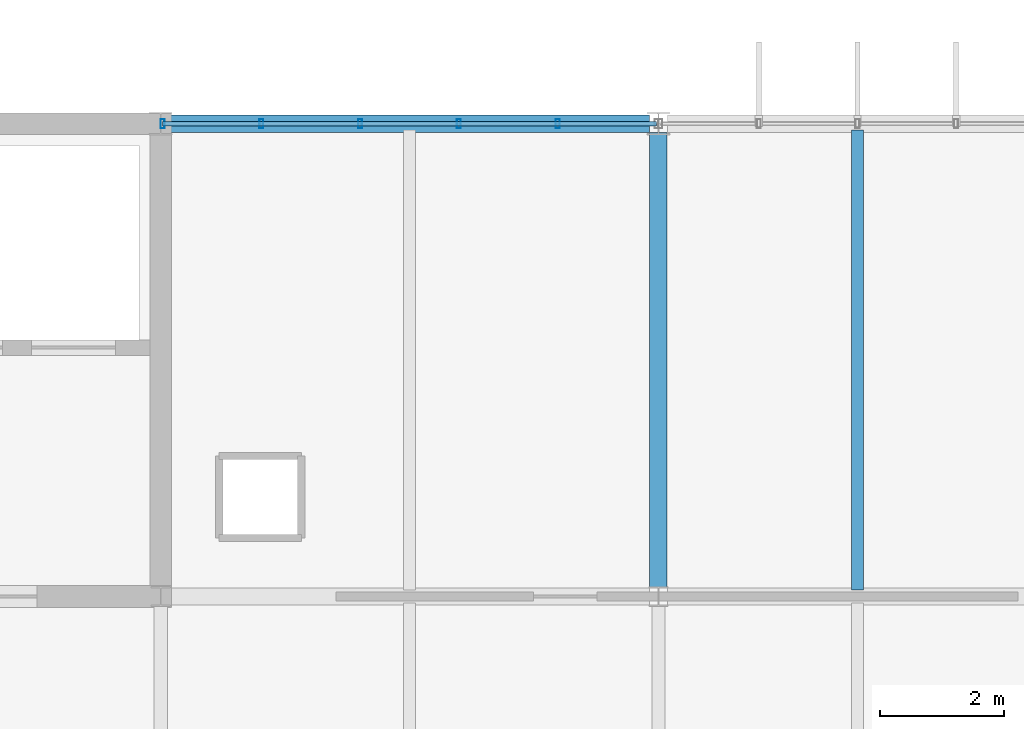
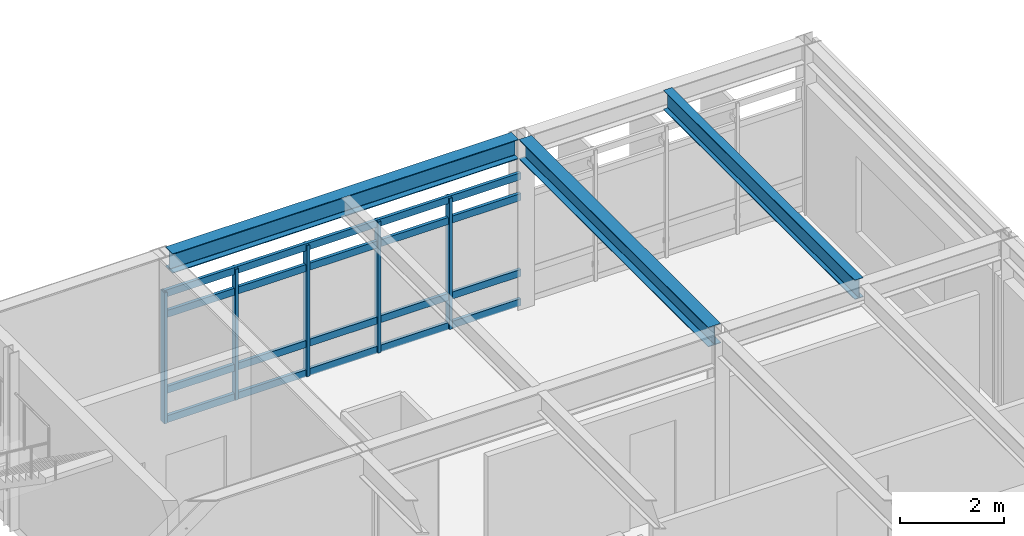
# One storey, part 18 of 33: 9 members, 3 beams, 1 element without a shape of its own.
"""IFC4 building model written with IfcOpenShell, lengths in metres."""

from ifc_helpers import new_model, si_unit, direction, frame, origin, origin_2d, place, context, subcontext, project, spatial, hollow_rectangle, i_section, extrude, material, material_profile, profile_set, type_object, element, aggregate, save


model = new_model("IFC4")

# Units and contexts
model_context = context("Model", 3, precision=1e-05, world=origin(), true_north=direction((0.0, 1.0)))
body_context = subcontext(model_context, "Body", "Model", "MODEL_VIEW")
ifc_project = project(units=[si_unit("LENGTHUNIT", "METRE"), si_unit("AREAUNIT", "SQUARE_METRE"), si_unit("VOLUMEUNIT", "CUBIC_METRE"), si_unit("PLANEANGLEUNIT", "RADIAN"), si_unit("MASSUNIT", "GRAM", prefix="KILO")], contexts=[model_context])

# Site, building, storey
site_placement = place(None, origin())
site = spatial("IfcSite", under=ifc_project, at=site_placement, CompositionType="ELEMENT")
building_placement = place(site_placement, origin())
building = spatial("IfcBuilding", under=site, at=building_placement, Name="Zulena Civic Courthouse", CompositionType="ELEMENT")
storey_placement = place(building_placement, frame((0.0, 0.0, 33.60009765625)))
storey = spatial("IfcBuildingStorey", under=building, at=storey_placement, Name="L07", CompositionType="ELEMENT", Elevation=33.60009765625)

# Curtain wall, members
ifc_material_1 = material(Name="Double-silver low-E laminated solar-control glass", Category="glass")
curtain_wall_type = type_object("IfcCurtainWallType", Name="CW_7940x3090", PredefinedType="USERDEFINED", material=ifc_material_1)
curtain_wall_placement = place(storey_placement, origin())
curtain_wall = element("IfcCurtainWall", 1, at=curtain_wall_placement, inside=storey, type_object=curtain_wall_type, Name="cw:V2:L07:1:5", ObjectType="UNITISED CURTAIN WALL", PredefinedType="USERDEFINED")
ifc_material_2 = material(Name="Bronze anodised thermally broken aluminium AA6063-T6", Category="aluminium")
ifc_material_profile_1 = material_profile(ifc_material_2, hollow_rectangle(XDim=0.06494140625, YDim=0.14990234375, WallThickness=0.00390625, at=origin_2d()), Name="CWM150X65X4")
ifc_profile_set_1 = profile_set([ifc_material_profile_1], Name="Bronze anodised thermally broken aluminium AA6063-T6")
member_type_1 = type_object("IfcMemberType", Name="CWMullion_150x65", PredefinedType="MULLION", material=ifc_profile_set_1)
member_1_placement = place(storey_placement, frame((52.030029296875, 22.800048828125, 0.0), z_axis=(0.0, 0.0, 1.0), x_axis=(1.0, 0.0, 0.0)))
member_1 = element("IfcMember", 2, at=member_1_placement, type_object=member_type_1, Name="cw:V2:L07:1:5:mull:0", PredefinedType="MULLION", context=body_context, shape_type="SweptSolid", body=[
    extrude(hollow_rectangle(XDim=0.06494140625, YDim=0.14990234375, WallThickness=0.00390625, at=origin_2d()), origin(), (0.0, 0.0, 1.0), 3.08984375),
])
member_2_placement = place(storey_placement, frame((53.617919921875, 22.800048828125, 0.0), z_axis=(0.0, 0.0, 1.0), x_axis=(1.0, 0.0, 0.0)))
member_2 = element("IfcMember", 3, at=member_2_placement, type_object=member_type_1, Name="cw:V2:L07:1:5:mull:1", PredefinedType="MULLION", context=body_context, shape_type="SweptSolid", body=[
    extrude(hollow_rectangle(XDim=0.06494140625, YDim=0.14990234375, WallThickness=0.00390625, at=origin_2d()), origin(), (0.0, 0.0, 1.0), 3.08984375),
])
member_3_placement = place(storey_placement, frame((55.2060546875, 22.800048828125, 0.0), z_axis=(0.0, 0.0, 1.0), x_axis=(1.0, 0.0, 0.0)))
member_3 = element("IfcMember", 4, at=member_3_placement, type_object=member_type_1, Name="cw:V2:L07:1:5:mull:2", PredefinedType="MULLION", context=body_context, shape_type="SweptSolid", body=[
    extrude(hollow_rectangle(XDim=0.06494140625, YDim=0.14990234375, WallThickness=0.00390625, at=origin_2d()), origin(), (0.0, 0.0, 1.0), 3.08984375),
])
member_4_placement = place(storey_placement, frame((56.7939453125, 22.800048828125, 0.0), z_axis=(0.0, 0.0, 1.0), x_axis=(1.0, 0.0, 0.0)))
member_4 = element("IfcMember", 5, at=member_4_placement, type_object=member_type_1, Name="cw:V2:L07:1:5:mull:3", PredefinedType="MULLION", context=body_context, shape_type="SweptSolid", body=[
    extrude(hollow_rectangle(XDim=0.06494140625, YDim=0.14990234375, WallThickness=0.00390625, at=origin_2d()), origin(), (0.0, 0.0, 1.0), 3.08984375),
])
member_5_placement = place(storey_placement, frame((58.382080078125, 22.800048828125, 0.0), z_axis=(0.0, 0.0, 1.0), x_axis=(1.0, 0.0, 0.0)))
member_5 = element("IfcMember", 6, at=member_5_placement, type_object=member_type_1, Name="cw:V2:L07:1:5:mull:4", PredefinedType="MULLION", context=body_context, shape_type="SweptSolid", body=[
    extrude(hollow_rectangle(XDim=0.06494140625, YDim=0.14990234375, WallThickness=0.00390625, at=origin_2d()), origin(), (0.0, 0.0, 1.0), 3.08984375),
])
ifc_material_profile_2 = material_profile(ifc_material_2, hollow_rectangle(XDim=0.070068359375, YDim=0.1650390625, WallThickness=0.00390625, at=origin_2d()), Name="CWT165X70X4")
ifc_profile_set_2 = profile_set([ifc_material_profile_2], Name="Bronze anodised thermally broken aluminium AA6063-T6")
member_type_2 = type_object("IfcMemberType", Name="CWTransom_165x70", PredefinedType="USERDEFINED", material=ifc_profile_set_2)
member_6_placement = place(storey_placement, frame((52.030029296875, 22.800048828125, 0.059814453125), z_axis=(1.0, 0.0, 0.0), x_axis=(0.0, 1.0, 0.0)))
member_6 = element("IfcMember", 7, at=member_6_placement, type_object=member_type_2, Name="cw:V2:L07:1:5:tran:0", ObjectType="TRANSOM", PredefinedType="USERDEFINED", context=body_context, shape_type="SweptSolid", body=[
    extrude(hollow_rectangle(XDim=0.070068359375, YDim=0.1650390625, WallThickness=0.00390625, at=origin_2d()), origin(), (0.0, 0.0, 1.0), 7.93994140625),
])
member_7_placement = place(storey_placement, frame((52.030029296875, 22.800048828125, 0.75), z_axis=(1.0, 0.0, 0.0), x_axis=(0.0, 1.0, 0.0)))
member_7 = element("IfcMember", 8, at=member_7_placement, type_object=member_type_2, Name="cw:V2:L07:1:5:tran:1", ObjectType="TRANSOM", PredefinedType="USERDEFINED", context=body_context, shape_type="SweptSolid", body=[
    extrude(hollow_rectangle(XDim=0.070068359375, YDim=0.1650390625, WallThickness=0.00390625, at=origin_2d()), origin(), (0.0, 0.0, 1.0), 7.93994140625),
])
member_8_placement = place(storey_placement, frame((52.030029296875, 22.800048828125, 2.539794921875), z_axis=(1.0, 0.0, 0.0), x_axis=(0.0, 1.0, 0.0)))
member_8 = element("IfcMember", 9, at=member_8_placement, type_object=member_type_2, Name="cw:V2:L07:1:5:tran:2", ObjectType="TRANSOM", PredefinedType="USERDEFINED", context=body_context, shape_type="SweptSolid", body=[
    extrude(hollow_rectangle(XDim=0.070068359375, YDim=0.1650390625, WallThickness=0.00390625, at=origin_2d()), origin(), (0.0, 0.0, 1.0), 7.93994140625),
])
member_9_placement = place(storey_placement, frame((52.030029296875, 22.800048828125, 3.02978515625), z_axis=(1.0, 0.0, 0.0), x_axis=(0.0, 1.0, 0.0)))
member_9 = element("IfcMember", 10, at=member_9_placement, type_object=member_type_2, Name="cw:V2:L07:1:5:tran:3", ObjectType="TRANSOM", PredefinedType="USERDEFINED", context=body_context, shape_type="SweptSolid", body=[
    extrude(hollow_rectangle(XDim=0.070068359375, YDim=0.1650390625, WallThickness=0.00390625, at=origin_2d()), origin(), (0.0, 0.0, 1.0), 7.93994140625),
])
aggregate(curtain_wall, [member_1, member_2, member_3, member_4, member_5, member_6, member_7, member_8, member_9])

# Beams
ifc_material_3 = material(Name="Steel ASTM A992 Grade 50", Category="steel")
ifc_material_profile_3 = material_profile(ifc_material_3, i_section(OverallWidth=0.19091796875, OverallDepth=0.4599609375, WebThickness=0.010009765625, FlangeThickness=0.01611328125, FilletRadius=0.01025390625, at=origin_2d()), Name="W18X55")
ifc_profile_set_3 = profile_set([ifc_material_profile_3], Name="Steel ASTM A992 Grade 50")
beam_type_1 = type_object("IfcBeamType", Name="Joist_W18X55", PredefinedType="JOIST", material=ifc_profile_set_3)
beam_1_placement = place(storey_placement, frame((63.199951171875, 15.304931640625, 3.77001953125), z_axis=(0.0, 1.0, 0.0), x_axis=(-1.0, 0.0, 0.0)))
element("IfcBeam", 11, at=beam_1_placement, inside=storey, type_object=beam_type_1, Name="joist:V2:L07:63.20:15.2_22.8", PredefinedType="JOIST", context=body_context, shape_type="SweptSolid", body=[
    extrude(i_section(OverallWidth=0.19091796875, OverallDepth=0.4599609375, WebThickness=0.010009765625, FlangeThickness=0.01611328125, FilletRadius=0.01025390625, at=origin_2d()), origin(), (0.0, 0.0, 1.0), 7.39013671875),
])
ifc_material_profile_4 = material_profile(ifc_material_3, i_section(OverallWidth=0.280029296875, OverallDepth=0.462890625, WebThickness=0.0107421875, FlangeThickness=0.017333984375, FilletRadius=0.01025390625, at=origin_2d()), Name="W18X76")
ifc_profile_set_4 = profile_set([ifc_material_profile_4], Name="Steel ASTM A992 Grade 50")
beam_type_2 = type_object("IfcBeamType", Name="Spandrel_W18X76", PredefinedType="SPANDREL", material=ifc_profile_set_4)
beam_2_placement = place(storey_placement, frame((52.14501953125, 22.800048828125, 3.768310546875), z_axis=(1.0, 0.0, 0.0), x_axis=(0.0, 1.0, 0.0)))
element("IfcBeam", 12, at=beam_2_placement, inside=storey, type_object=beam_type_2, Name="beam:X:V2:L07:22.8:52.0_60.0", PredefinedType="SPANDREL", context=body_context, shape_type="SweptSolid", body=[
    extrude(i_section(OverallWidth=0.280029296875, OverallDepth=0.462890625, WebThickness=0.0107421875, FlangeThickness=0.017333984375, FilletRadius=0.01025390625, at=origin_2d()), origin(), (0.0, 0.0, 1.0), 7.7099609375),
])
beam_3_placement = place(storey_placement, frame((60.0, 15.344970703125, 3.768310546875), z_axis=(0.0, 1.0, 0.0), x_axis=(-1.0, 0.0, 0.0)))
element("IfcBeam", 13, at=beam_3_placement, inside=storey, type_object=beam_type_2, Name="beam:Y:V2:L07:60.0:15.2_22.8", PredefinedType="SPANDREL", context=body_context, shape_type="SweptSolid", body=[
    extrude(i_section(OverallWidth=0.280029296875, OverallDepth=0.462890625, WebThickness=0.0107421875, FlangeThickness=0.017333984375, FilletRadius=0.01025390625, at=origin_2d()), origin(), (0.0, 0.0, 1.0), 7.31005859375),
])

save(model, "model.ifc")
